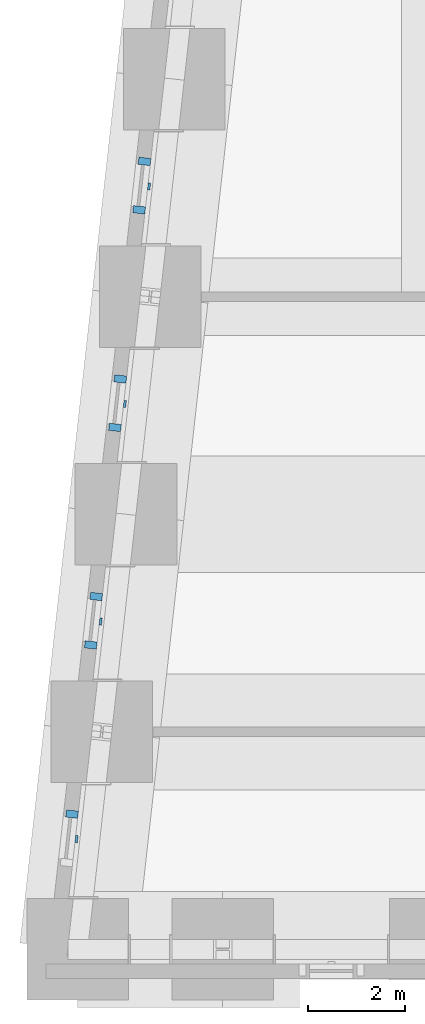
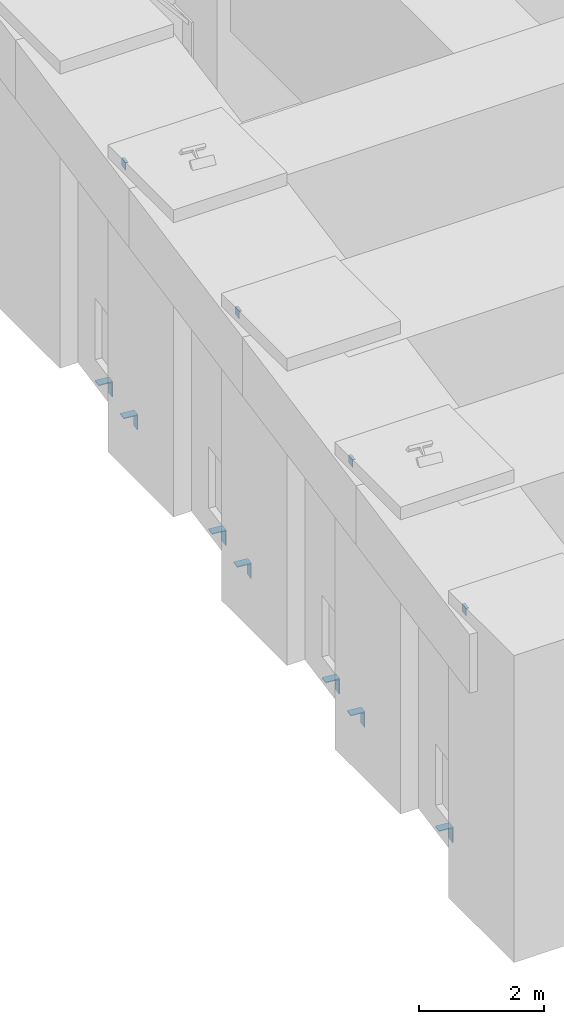
# One storey, part 11 of 17: 11 discrete accessories.
"""IFC4 building model written with IfcOpenShell, lengths in metres."""

from ifc_helpers import new_model, si_unit, direction, frame, origin, place, context, subcontext, project, spatial, polyline, outline, extrude, source, transform, mapped, material, layer, layer_set, type_object, element, save


model = new_model("IFC4")

# Units and contexts
model_context = context("Model", 3, precision=1e-05, world=origin(), true_north=direction((0.0, 1.0)))
body_context = subcontext(model_context, "Body", "Model", "MODEL_VIEW")
ifc_project = project(units=[si_unit("LENGTHUNIT", "METRE"), si_unit("AREAUNIT", "SQUARE_METRE"), si_unit("VOLUMEUNIT", "CUBIC_METRE"), si_unit("PLANEANGLEUNIT", "RADIAN"), si_unit("MASSUNIT", "GRAM", prefix="KILO")], contexts=[model_context])

# Site, building, storey
site_placement = place(None, origin())
site = spatial("IfcSite", under=ifc_project, at=site_placement, CompositionType="ELEMENT")
building_placement = place(site_placement, origin())
building = spatial("IfcBuilding", under=site, at=building_placement, Name="Kilele Tower Hotel", CompositionType="ELEMENT")
storey_placement = place(building_placement, frame((0.0, 0.0, 211.39990234375)))
storey = spatial("IfcBuildingStorey", under=building, at=storey_placement, Name="L55", CompositionType="ELEMENT", Elevation=211.39990234375)

# Discrete accessories
ifc_material_1 = material(Name="Hot-dip galvanized steel S355", Category="steel")
ifc_layer_1 = layer(ifc_material_1, 0.014892578125)
ifc_layer_set_1 = layer_set([ifc_layer_1], Name="Hot-dip galvanized steel S355")
discrete_accessory_type_1 = type_object("IfcDiscreteAccessoryType", Name="Facade panel bearing bracket 250x150x15", PredefinedType="BRACKET", material=ifc_layer_set_1)
shared_shape_1 = source(origin(), body_context, "Body", "SweptSolid", [
    extrude(outline(polyline([(0.0, 0.0), (0.25, 0.0), (0.25, -0.014892578125), (0.014892578125, -0.014892578125), (0.014892578125, -0.300048828125), (0.0, -0.300048828125), (0.0, 0.0)])), origin(), (0.0, 0.0, 1.0), 0.14990234375),
])
for number, where, z_axis, x_axis, name in (
    (1, (2.999267578125, 29.709716796875, 0.0), (0.110432, 0.993884, 0.0), (-0.993884, 0.110432, 0.0), "Facade panel bearing bracket L55"),
    (2, (2.887939453125, 28.70751953125, 0.0), (0.110432, 0.993884, 0.0), (-0.993884, 0.110432, 0.0), "Facade panel bearing bracket L55"),
    (3, (2.499267578125, 25.209716796875, 0.0), (0.110432, 0.993884, 0.0), (-0.993884, 0.110432, 0.0), "Facade panel bearing bracket L55"),
    (4, (2.387939453125, 24.20751953125, 0.0), (0.110432, 0.993884, 0.0), (-0.993884, 0.110432, 0.0), "Facade panel bearing bracket L55"),
    (5, (1.999267578125, 20.709716796875, 0.0), (0.110432, 0.993884, 0.0), (-0.993884, 0.110432, 0.0), "Facade panel bearing bracket L55"),
    (6, (1.887939453125, 19.70751953125, 0.0), (0.110432, 0.993884, 0.0), (-0.993884, 0.110432, 0.0), "Facade panel bearing bracket L55"),
    (7, (1.499267578125, 16.209716796875, 0.0), (0.110432, 0.993884, 0.0), (-0.993884, 0.110432, 0.0), "Facade panel bearing bracket L55"),
):
    element("IfcDiscreteAccessory", number, at=place(storey_placement, frame(where, z_axis=z_axis, x_axis=x_axis)), inside=storey, type_object=discrete_accessory_type_1, Name=name, PredefinedType="BRACKET", context=body_context, shape_type="MappedRepresentation", body=[
        mapped(shared_shape_1, transform((0.0, 0.0, 0.0))),
    ])
ifc_material_2 = material(Name="Hot-dip galvanized steel S355", Category="steel")
ifc_layer_2 = layer(ifc_material_2, 0.011962890625)
ifc_layer_set_2 = layer_set([ifc_layer_2], Name="Hot-dip galvanized steel S355")
discrete_accessory_type_2 = type_object("IfcDiscreteAccessoryType", Name="Facade panel restraint bracket 150x50x12", PredefinedType="BRACKET", material=ifc_layer_set_2)
shared_shape_2 = source(origin(), body_context, "Body", "SweptSolid", [
    extrude(outline(polyline([(0.0, 0.0), (0.0, -0.14990234375), (-0.011962890625, -0.14990234375), (-0.011962890625, -0.011962890625), (-0.050048828125, -0.011962890625), (-0.050048828125, 0.0), (0.0, 0.0)])), origin(), (0.0, 0.0, 1.0), 0.14990234375),
])
for number, where, z_axis, x_axis, name in (
    (8, (2.943603515625, 29.20849609375, 4.60009765625), (0.110432, 0.993884, 0.0), (-0.993884, 0.110432, 0.0), "Facade panel restraint bracket L55"),
    (9, (2.443603515625, 24.70849609375, 4.60009765625), (0.110432, 0.993884, 0.0), (-0.993884, 0.110432, 0.0), "Facade panel restraint bracket L55"),
    (10, (1.943603515625, 20.20849609375, 4.60009765625), (0.110432, 0.993884, 0.0), (-0.993884, 0.110432, 0.0), "Facade panel restraint bracket L55"),
    (11, (1.443603515625, 15.70849609375, 4.60009765625), (0.110432, 0.993884, 0.0), (-0.993884, 0.110432, 0.0), "Facade panel restraint bracket L55"),
):
    element("IfcDiscreteAccessory", number, at=place(storey_placement, frame(where, z_axis=z_axis, x_axis=x_axis)), inside=storey, type_object=discrete_accessory_type_2, Name=name, PredefinedType="BRACKET", context=body_context, shape_type="MappedRepresentation", body=[
        mapped(shared_shape_2, transform((0.0, 0.0, 0.0))),
    ])

save(model, "model.ifc")
